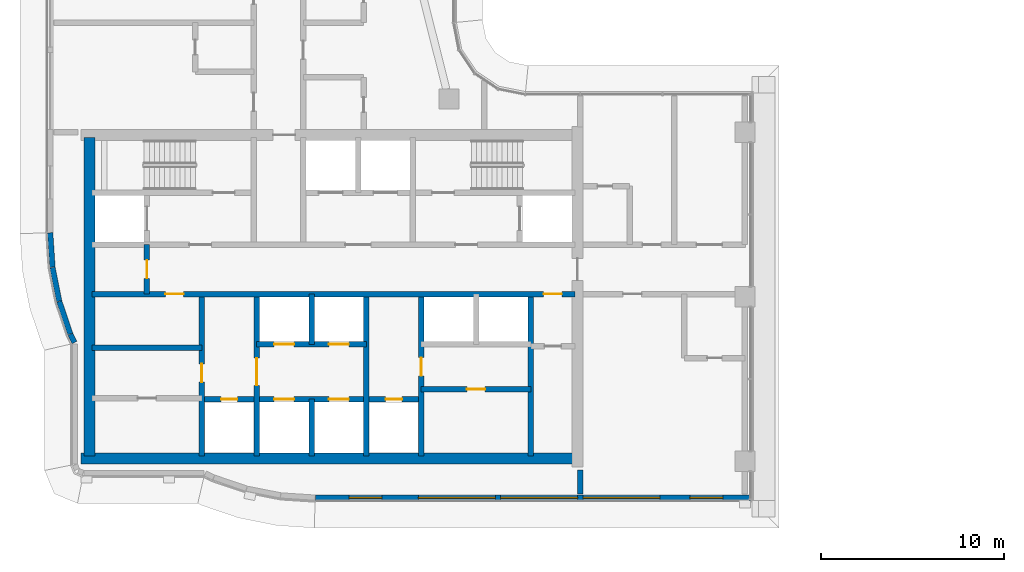
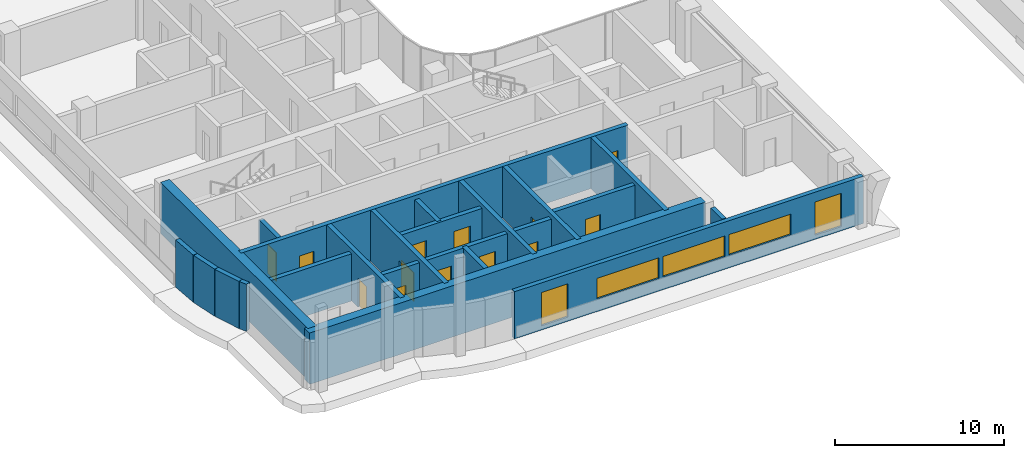
# One storey, part 10 of 26: 21 walls, 13 doors, 5 windows, 18 openings.
"""IFC4 building model written with IfcOpenShell, lengths in metres."""

import ifcopenshell
import ifcopenshell.guid

model = None  # the IFC model being written
_history = None  # IfcOwnerHistory: only IFC2X3 demands one
_inside = {}  # id of a spatial element -> (the spatial element, [elements in it])
_under = {}  # id of a project, library or spatial element -> (it, [spatial elements below it])
_declared = {}  # id of a project -> (the project, [libraries it declares])
_typed = {}  # id of a type object -> (the type object, [elements of that type])
_made_of = {}  # id of a material, layer set ... -> (it, [elements and type objects made of it])


def new_model(schema):
    """Start an empty IFC model of exactly this schema.

    Asked for "IFC4X3", IfcOpenShell would pick the latest addendum, in which some entities
    have other attributes; the version numbers below select the first issue.
    IFC2X3 requires an IfcOwnerHistory on every rooted entity: one is made here for all.
    """
    global model, _history
    if schema == "IFC4X3":
        model = ifcopenshell.file(schema_version=(4, 3, 0, 0))
    else:
        model = ifcopenshell.file(schema=schema)
    _inside.clear()
    _under.clear()
    _declared.clear()
    _typed.clear()
    _made_of.clear()
    _history = None
    if model.schema == "IFC2X3":
        org = make("IfcOrganization", Name="unknown")
        user = make(
            "IfcPersonAndOrganization",
            ThePerson=make("IfcPerson", FamilyName="unknown"),
            TheOrganization=org,
        )
        app = make(
            "IfcApplication",
            ApplicationDeveloper=org,
            Version="unknown",
            ApplicationFullName="unknown",
            ApplicationIdentifier="unknown",
        )
        _history = make(
            "IfcOwnerHistory",
            OwningUser=user,
            OwningApplication=app,
            ChangeAction="ADDED",
            CreationDate=0,
        )
    return model


def make(cls, **values):
    """One entity of the class cls with the attributes given. An attribute that is None is left unset."""
    return model.create_entity(
        cls, **{name: value for name, value in values.items() if value is not None}
    )


def rooted(cls, **values):
    """An entity with a GlobalId (a new one), such as an element, a storey or a relation."""
    return make(cls, GlobalId=ifcopenshell.guid.new(), OwnerHistory=_history, **values)


def si_unit(unit_type, name, prefix=None):
    """IfcSIUnit, for example si_unit("LENGTHUNIT", "METRE", prefix="MILLI")."""
    return make("IfcSIUnit", UnitType=unit_type, Prefix=prefix, Name=name)


def assignment(units):
    """IfcUnitAssignment: the units of a project."""
    return None if units is None else make("IfcUnitAssignment", Units=units)


def point(xyz):
    """IfcCartesianPoint."""
    return None if xyz is None else make("IfcCartesianPoint", Coordinates=xyz)


def direction(xyz):
    """IfcDirection."""
    return None if xyz is None else make("IfcDirection", DirectionRatios=xyz)


def frame(location, z_axis=None, x_axis=None):
    """IfcAxis2Placement3D, a coordinate frame: its origin and axes. An axis left out is left unset."""
    return make(
        "IfcAxis2Placement3D",
        Location=point(location),
        Axis=direction(z_axis),
        RefDirection=direction(x_axis),
    )


def frame_2d(location, x_axis=None):
    """IfcAxis2Placement2D, a coordinate frame in the plane: its origin and x axis."""
    return make(
        "IfcAxis2Placement2D", Location=point(location), RefDirection=direction(x_axis)
    )


def origin():
    """The frame at (0, 0, 0) with its axes left unset."""
    return frame((0.0, 0.0, 0.0))


def place(relative_to, where):
    """IfcLocalPlacement: puts the frame where relative to a parent placement (None: the world)."""
    return make(
        "IfcLocalPlacement", PlacementRelTo=relative_to, RelativePlacement=where
    )


def context(
    kind, dimensions, precision=None, world=None, true_north=None, identifier=None
):
    """IfcGeometricRepresentationContext, for example the 3D "Model" context."""
    return make(
        "IfcGeometricRepresentationContext",
        ContextIdentifier=identifier,
        ContextType=kind,
        CoordinateSpaceDimension=dimensions,
        Precision=precision,
        WorldCoordinateSystem=world,
        TrueNorth=true_north,
    )


def subcontext(parent, identifier, kind, view, scale=None):
    """IfcGeometricRepresentationSubContext, for example "Body" below "Model"."""
    return make(
        "IfcGeometricRepresentationSubContext",
        ContextIdentifier=identifier,
        ContextType=kind,
        ParentContext=parent,
        TargetScale=scale,
        TargetView=view,
    )


def project(units=None, contexts=None):
    """IfcProject with its units and contexts."""
    return rooted(
        "IfcProject",
        Name="project",
        RepresentationContexts=contexts,
        UnitsInContext=assignment(units),
    )


def spatial(cls, under=None, at=None, **own):
    """A site, building, storey or space (cls), placed at a placement, below another one or the project."""
    s = rooted(cls, ObjectPlacement=at, **own)
    if under is not None:
        _under.setdefault(under.id(), (under, []))[1].append(s)
    return s


def profile(cls, at=None, kind="AREA", **sizes):
    """A parametric profile (cls). Its sizes go by their IFC names, for example OverallWidth=200.0."""
    return make(cls, ProfileType=kind, Position=at, **sizes)


def rectangle(**sizes):
    """IfcRectangleProfileDef."""
    return profile("IfcRectangleProfileDef", **sizes)


def extrude(swept, where, along, depth):
    """IfcExtrudedAreaSolid: the profile swept, set in the frame where, extruded along a direction by depth."""
    return make(
        "IfcExtrudedAreaSolid",
        SweptArea=swept,
        Position=where,
        ExtrudedDirection=direction(along),
        Depth=depth,
    )


def shape(context_of_items, identifier, shape_type, items):
    """IfcShapeRepresentation: the items that make up one representation, for example the "Body"."""
    return make(
        "IfcShapeRepresentation",
        ContextOfItems=context_of_items,
        RepresentationIdentifier=identifier,
        RepresentationType=shape_type,
        Items=items,
    )


def material(Name=None, Category=None):
    """IfcMaterial."""
    return make("IfcMaterial", Name=Name, Category=Category)


def layer(
    of_material, thickness, ventilated=None, Name=None, Category=None, Priority=None
):
    """IfcMaterialLayer: one layer of a wall or slab, of a material (None: an air gap)."""
    return make(
        "IfcMaterialLayer",
        Material=of_material,
        LayerThickness=thickness,
        IsVentilated=ventilated,
        Name=Name,
        Category=Category,
        Priority=Priority,
    )


def layer_set(layers, Name=None):
    """IfcMaterialLayerSet."""
    return make("IfcMaterialLayerSet", MaterialLayers=layers, LayerSetName=Name)


def made_of(thing, what):
    """Note that an element or type object is made of a material, layer set ...; save() writes the relation."""
    if what is not None:
        _made_of.setdefault(what.id(), (what, []))[1].append(thing)
    return thing


def type_object(cls, material=None, **own):
    """A type object (cls), such as IfcWallType, which elements share."""
    return made_of(rooted(cls, **own), material)


def element(
    cls,
    number,
    at=None,
    inside=None,
    cuts=None,
    type_object=None,
    material=None,
    context=None,
    identifier="Body",
    shape_type=None,
    held_by="IfcProductDefinitionShape",
    body=None,
    shapes=None,
    **own,
):
    """One element of the class cls, such as IfcWall. Its Tag is "e" and its number.

    at: its placement. inside: the storey or other place that contains it. cuts: it is an
    opening in that element (IfcRelVoidsElement). A single representation is given by context,
    identifier, shape_type and body (its items); several are given by shapes. held_by: the class
    of the entity that holds the representations. save() writes the other relations.
    """
    e = rooted(cls, Tag="e%d" % number, ObjectPlacement=at, **own)
    if body is not None:
        shapes = [shape(context, identifier, shape_type, body)]
    if shapes is not None:
        e.Representation = make(held_by, Representations=shapes)
    if inside is not None:
        _inside.setdefault(inside.id(), (inside, []))[1].append(e)
    if cuts is not None:
        rooted(
            "IfcRelVoidsElement", RelatingBuildingElement=cuts, RelatedOpeningElement=e
        )
    if type_object is not None:
        _typed.setdefault(type_object.id(), (type_object, []))[1].append(e)
    return made_of(e, material)


def fill(opening, filler):
    """IfcRelFillsElement: the door or window that sits in an opening."""
    return rooted(
        "IfcRelFillsElement",
        RelatingOpeningElement=opening,
        RelatedBuildingElement=filler,
    )


def aggregate(whole, parts):
    """IfcRelAggregates: a whole, such as a stair, and the parts it consists of."""
    return rooted("IfcRelAggregates", RelatingObject=whole, RelatedObjects=parts)


def save(model, path):
    """Write the relations noted so far, then the file.

    IfcRelAggregates (storeys below a building ...), IfcRelContainedInSpatialStructure (elements
    in a storey), IfcRelDefinesByType, IfcRelAssociatesMaterial and IfcRelDeclares: one each for
    every whole, place, type object, material and project.
    """
    for whole, parts in _under.values():
        aggregate(whole, parts)
    for where, things in _inside.values():
        rooted(
            "IfcRelContainedInSpatialStructure",
            RelatedElements=things,
            RelatingStructure=where,
        )
    for kind, things in _typed.values():
        rooted("IfcRelDefinesByType", RelatedObjects=things, RelatingType=kind)
    for what, things in _made_of.values():
        rooted("IfcRelAssociatesMaterial", RelatedObjects=things, RelatingMaterial=what)
    for by, libraries in _declared.values():
        rooted("IfcRelDeclares", RelatingContext=by, RelatedDefinitions=libraries)
    model.write(path)


model = new_model("IFC4")

# Units and contexts
model_context = context("Model", 3, precision=1e-05, world=origin(), true_north=direction((0.0, 1.0)))
body_context = subcontext(model_context, "Body", "Model", "MODEL_VIEW")
ifc_project = project(units=[si_unit("LENGTHUNIT", "METRE"), si_unit("AREAUNIT", "SQUARE_METRE"), si_unit("VOLUMEUNIT", "CUBIC_METRE"), si_unit("PLANEANGLEUNIT", "RADIAN"), si_unit("MASSUNIT", "GRAM", prefix="KILO")], contexts=[model_context])

# Site, building, storey
site_placement = place(None, origin())
site = spatial("IfcSite", under=ifc_project, at=site_placement, CompositionType="ELEMENT")
building_placement = place(site_placement, origin())
building = spatial("IfcBuilding", under=site, at=building_placement, Name="Ogive Portal Towers", CompositionType="ELEMENT")
storey_placement = place(building_placement, frame((0.0, 0.0, 171.800048828125)))
storey = spatial("IfcBuildingStorey", under=building, at=storey_placement, Name="L42", CompositionType="ELEMENT", Elevation=171.800048828125)

# Wall, opening, door
ifc_material_1 = material(Name="Concrete C60/75", Category="concrete")
ifc_layer_1 = layer(ifc_material_1, 0.300048828125)
ifc_layer_set_1 = layer_set([ifc_layer_1], Name="CORE WALL 300 C60")
wall_type_1 = type_object("IfcWallType", Name="CORE WALL 300 C60", PredefinedType="SHEAR", material=ifc_layer_set_1)
wall_1_placement = place(storey_placement, frame((37.800048828125, 21.800048828125, 0.0), z_axis=(0.0, 0.0, 1.0), x_axis=(0.0, 1.0, 0.0)))
wall_1 = element("IfcWall", 1, at=wall_1_placement, inside=storey, type_object=wall_type_1, Name="Core wall X1 L42", PredefinedType="SHEAR", context=body_context, shape_type="SweptSolid", body=[
    extrude(rectangle(XDim=8.699951171875, YDim=0.300048828125, at=frame_2d((4.35009765625, 0.0))), origin(), (0.0, 0.0, 1.0), 3.699951171875),
])
opening_1_placement = place(wall_1_placement, frame((4.02490234375, 0.0, 0.0)))
opening_1 = element("IfcOpeningElement", 2, at=opening_1_placement, cuts=wall_1, Name="Opening D17-022", PredefinedType="OPENING", context=body_context, shape_type="SweptSolid", body=[
    extrude(rectangle(XDim=1.0, YDim=2.10009765625, at=frame_2d((0.5, 1.050048828125))), frame((0.0, 0.16015625, 0.0), z_axis=(0.0, -1.0, 0.0), x_axis=(1.0, 0.0, 0.0)), (0.0, 0.0, 1.0), 0.320068359375),
])
ifc_material_2 = material(Name="Steel fire door", Category="steel")
door_type_1 = type_object("IfcDoorType", Name="DT-SWING-1000x2100-FD90S", OperationType="SINGLE_SWING_LEFT", PredefinedType="DOOR", material=ifc_material_2)
door_1_placement = place(opening_1_placement, origin())
door_1 = element("IfcDoor", 3, at=door_1_placement, inside=storey, type_object=door_type_1, Name="Door D17-022", OperationType="SINGLE_SWING_RIGHT", OverallHeight=2.10009765625, OverallWidth=1.0, PredefinedType="DOOR", context=body_context, shape_type="SweptSolid", body=[
    extrude(rectangle(XDim=1.0, YDim=2.10009765625, at=frame_2d((0.5, 1.050048828125))), frame((0.0, 0.02490234375, 0.0), z_axis=(0.0, -1.0, 0.0), x_axis=(1.0, 0.0, 0.0)), (0.0, 0.0, 1.0), 0.050048828125),
])
fill(opening_1, door_1)

wall_2_placement = place(storey_placement, frame((40.800048828125, 21.800048828125, 0.0), z_axis=(0.0, 0.0, 1.0), x_axis=(0.0, 1.0, 0.0)))
wall_2 = element("IfcWall", 4, at=wall_2_placement, inside=storey, type_object=wall_type_1, Name="Core wall X2 L42", PredefinedType="SHEAR", context=body_context, shape_type="SweptSolid", body=[
    extrude(rectangle(XDim=8.699951171875, YDim=0.300048828125, at=frame_2d((4.35009765625, 0.0))), origin(), (0.0, 0.0, 1.0), 3.699951171875),
])
opening_2_placement = place(wall_2_placement, frame((3.85009765625, 0.0, 0.0)))
opening_2 = element("IfcOpeningElement", 5, at=opening_2_placement, cuts=wall_2, Name="Opening D17-001", PredefinedType="OPENING", context=body_context, shape_type="SweptSolid", body=[
    extrude(rectangle(XDim=1.5, YDim=2.10009765625, at=frame_2d((0.75, 1.050048828125))), frame((0.0, 0.16015625, 0.0), z_axis=(0.0, -1.0, 0.0), x_axis=(1.0, 0.0, 0.0)), (0.0, 0.0, 1.0), 0.320068359375),
])
door_type_2 = type_object("IfcDoorType", Name="DT-SWING-1500x2100-FD90S", OperationType="SINGLE_SWING_LEFT", PredefinedType="DOOR", material=ifc_material_2)
door_2_placement = place(opening_2_placement, origin())
door_2 = element("IfcDoor", 6, at=door_2_placement, inside=storey, type_object=door_type_2, Name="Door D17-001", OperationType="SINGLE_SWING_RIGHT", OverallHeight=2.10009765625, OverallWidth=1.5, PredefinedType="DOOR", context=body_context, shape_type="SweptSolid", body=[
    extrude(rectangle(XDim=1.5, YDim=2.10009765625, at=frame_2d((0.75, 1.050048828125))), frame((0.0, 0.02490234375, 0.0), z_axis=(0.0, -1.0, 0.0), x_axis=(1.0, 0.0, 0.0)), (0.0, 0.0, 1.0), 0.050048828125),
])
fill(opening_2, door_2)

# Wall
wall_3_placement = place(storey_placement, frame((46.800048828125, 21.800048828125, 0.0), z_axis=(0.0, 0.0, 1.0), x_axis=(0.0, 1.0, 0.0)))
element("IfcWall", 7, at=wall_3_placement, inside=storey, type_object=wall_type_1, Name="Core wall X3 L42", PredefinedType="SHEAR", context=body_context, shape_type="SweptSolid", body=[
    extrude(rectangle(XDim=8.699951171875, YDim=0.300048828125, at=frame_2d((4.35009765625, 0.0))), origin(), (0.0, 0.0, 1.0), 3.699951171875),
])

# Wall, opening, door
wall_4_placement = place(storey_placement, frame((49.800048828125, 21.800048828125, 0.0), z_axis=(0.0, 0.0, 1.0), x_axis=(0.0, 1.0, 0.0)))
wall_4 = element("IfcWall", 8, at=wall_4_placement, inside=storey, type_object=wall_type_1, Name="Core wall X4 L42", PredefinedType="SHEAR", context=body_context, shape_type="SweptSolid", body=[
    extrude(rectangle(XDim=8.699951171875, YDim=0.300048828125, at=frame_2d((4.35009765625, 0.0))), origin(), (0.0, 0.0, 1.0), 3.699951171875),
])
opening_3_placement = place(wall_4_placement, frame((4.375, 0.0, 0.0)))
opening_3 = element("IfcOpeningElement", 9, at=opening_3_placement, cuts=wall_4, Name="Opening D17-024", PredefinedType="OPENING", context=body_context, shape_type="SweptSolid", body=[
    extrude(rectangle(XDim=1.0, YDim=2.10009765625, at=frame_2d((0.5, 1.050048828125))), frame((0.0, 0.16015625, 0.0), z_axis=(0.0, -1.0, 0.0), x_axis=(1.0, 0.0, 0.0)), (0.0, 0.0, 1.0), 0.320068359375),
])
door_3_placement = place(opening_3_placement, origin())
door_3 = element("IfcDoor", 10, at=door_3_placement, inside=storey, type_object=door_type_1, Name="Door D17-024", OperationType="SINGLE_SWING_RIGHT", OverallHeight=2.10009765625, OverallWidth=1.0, PredefinedType="DOOR", context=body_context, shape_type="SweptSolid", body=[
    extrude(rectangle(XDim=1.0, YDim=2.10009765625, at=frame_2d((0.5, 1.050048828125))), frame((0.0, 0.02490234375, 0.0), z_axis=(0.0, -1.0, 0.0), x_axis=(1.0, 0.0, 0.0)), (0.0, 0.0, 1.0), 0.050048828125),
])
fill(opening_3, door_3)

# Wall
wall_5_placement = place(storey_placement, frame((55.800048828125, 21.800048828125, 0.0), z_axis=(0.0, 0.0, 1.0), x_axis=(0.0, 1.0, 0.0)))
element("IfcWall", 11, at=wall_5_placement, inside=storey, type_object=wall_type_1, Name="Core wall X5 L42", PredefinedType="SHEAR", context=body_context, shape_type="SweptSolid", body=[
    extrude(rectangle(XDim=8.699951171875, YDim=0.300048828125, at=frame_2d((4.35009765625, 0.0))), origin(), (0.0, 0.0, 1.0), 3.699951171875),
])

# Wall, openings, doors
wall_6_placement = place(storey_placement, frame((31.800048828125, 30.64990234375, 0.0), z_axis=(0.0, 0.0, 1.0), x_axis=(1.0, 0.0, 0.0)))
wall_6 = element("IfcWall", 12, at=wall_6_placement, inside=storey, type_object=wall_type_1, Name="Core wall Y1 L42", PredefinedType="SHEAR", context=body_context, shape_type="SweptSolid", body=[
    extrude(rectangle(XDim=26.39990234375, YDim=0.300048828125, at=frame_2d((13.199951171875, 0.0))), origin(), (0.0, 0.0, 1.0), 3.699951171875),
])
opening_4_placement = place(wall_6_placement, frame((24.699951171875, 0.0, 0.0)))
opening_4 = element("IfcOpeningElement", 13, at=opening_4_placement, cuts=wall_6, Name="Opening D17-009", PredefinedType="OPENING", context=body_context, shape_type="SweptSolid", body=[
    extrude(rectangle(XDim=1.0, YDim=2.10009765625, at=frame_2d((0.5, 1.050048828125))), frame((0.0, 0.16015625, 0.0), z_axis=(0.0, -1.0, 0.0), x_axis=(1.0, 0.0, 0.0)), (0.0, 0.0, 1.0), 0.320068359375),
])
opening_5_placement = place(wall_6_placement, frame((4.0, 0.0, 0.0)))
opening_5 = element("IfcOpeningElement", 14, at=opening_5_placement, cuts=wall_6, Name="Opening D17-021", PredefinedType="OPENING", context=body_context, shape_type="SweptSolid", body=[
    extrude(rectangle(XDim=1.0, YDim=2.10009765625, at=frame_2d((0.5, 1.050048828125))), frame((0.0, 0.16015625, 0.0), z_axis=(0.0, -1.0, 0.0), x_axis=(1.0, 0.0, 0.0)), (0.0, 0.0, 1.0), 0.320068359375),
])
door_4_placement = place(opening_4_placement, origin())
door_4 = element("IfcDoor", 15, at=door_4_placement, inside=storey, type_object=door_type_1, Name="Door D17-009", OperationType="SINGLE_SWING_LEFT", OverallHeight=2.10009765625, OverallWidth=1.0, PredefinedType="DOOR", context=body_context, shape_type="SweptSolid", body=[
    extrude(rectangle(XDim=1.0, YDim=2.10009765625, at=frame_2d((0.5, 1.050048828125))), frame((0.0, 0.02490234375, 0.0), z_axis=(0.0, -1.0, 0.0), x_axis=(1.0, 0.0, 0.0)), (0.0, 0.0, 1.0), 0.050048828125),
])
fill(opening_4, door_4)
door_5_placement = place(opening_5_placement, origin())
door_5 = element("IfcDoor", 16, at=door_5_placement, inside=storey, type_object=door_type_1, Name="Door D17-021", OperationType="SINGLE_SWING_LEFT", OverallHeight=2.10009765625, OverallWidth=1.0, PredefinedType="DOOR", context=body_context, shape_type="SweptSolid", body=[
    extrude(rectangle(XDim=1.0, YDim=2.10009765625, at=frame_2d((0.5, 1.050048828125))), frame((0.0, 0.02490234375, 0.0), z_axis=(0.0, -1.0, 0.0), x_axis=(1.0, 0.0, 0.0)), (0.0, 0.0, 1.0), 0.050048828125),
])
fill(opening_5, door_5)

# Walls
ifc_layer_2 = layer(ifc_material_1, 0.60009765625)
ifc_layer_set_2 = layer_set([ifc_layer_2], Name="CORE WALL 600 C60")
wall_type_2 = type_object("IfcWallType", Name="CORE WALL 600 C60", PredefinedType="SHEAR", material=ifc_layer_set_2)
wall_7_placement = place(storey_placement, frame((31.64990234375, 21.800048828125, 0.0), z_axis=(0.0, 0.0, 1.0), x_axis=(0.0, 1.0, 0.0)))
element("IfcWall", 17, at=wall_7_placement, inside=storey, type_object=wall_type_2, Name="Core wall W L42", PredefinedType="SHEAR", context=body_context, shape_type="SweptSolid", body=[
    extrude(rectangle(XDim=17.39990234375, YDim=0.60009765625, at=frame_2d((8.699951171875, 0.0))), origin(), (0.0, 0.0, 1.0), 3.699951171875),
])
wall_8_placement = place(storey_placement, frame((31.199951171875, 21.64990234375, 0.0), z_axis=(0.0, 0.0, 1.0), x_axis=(1.0, 0.0, 0.0)))
element("IfcWall", 18, at=wall_8_placement, inside=storey, type_object=wall_type_2, Name="Core wall S L42", PredefinedType="SHEAR", context=body_context, shape_type="SweptSolid", body=[
    extrude(rectangle(XDim=27.0, YDim=0.60009765625, at=frame_2d((13.5, 0.0))), origin(), (0.0, 0.0, 1.0), 3.699951171875),
])

# Wall, openings, windows
ifc_material_3 = material(Name="Limestone cladding on lightweight block wall", Category="masonry")
ifc_layer_3 = layer(ifc_material_3, 0.300048828125)
ifc_layer_set_3 = layer_set([ifc_layer_3], Name="EXTERNAL WALL 300 STONE")
wall_type_3 = type_object("IfcWallType", Name="EXTERNAL WALL 300 STONE", PredefinedType="SOLIDWALL", material=ifc_layer_set_3)
wall_9_placement = place(storey_placement, frame((44.009765625, 19.5048828125, 0.0), z_axis=(0.0, 0.0, 1.0), x_axis=(1.0, 0.0, 0.0)))
wall_9 = element("IfcWall", 19, at=wall_9_placement, inside=storey, type_object=wall_type_3, Name="A:L42:f08:r0:wall", PredefinedType="SOLIDWALL", context=body_context, shape_type="SweptSolid", body=[
    extrude(rectangle(XDim=23.790283203125, YDim=0.300048828125, at=frame_2d((11.89501953125, 0.0))), origin(), (0.0, 0.0, 1.0), 3.39990234375),
])
opening_6_placement = place(wall_9_placement, frame((1.844970703125, 0.0, 0.300048828125)))
opening_6 = element("IfcOpeningElement", 20, at=opening_6_placement, cuts=wall_9, Name="Opening WN10", PredefinedType="OPENING", context=body_context, shape_type="SweptSolid", body=[
    extrude(rectangle(XDim=1.800048828125, YDim=2.39990234375, at=frame_2d((0.89990234375, 1.199951171875))), frame((0.0, 0.16015625, 0.0), z_axis=(0.0, -1.0, 0.0), x_axis=(1.0, 0.0, 0.0)), (0.0, 0.0, 1.0), 0.320068359375),
])
opening_7_placement = place(wall_9_placement, frame((5.64013671875, 0.0, 0.89990234375)))
opening_7 = element("IfcOpeningElement", 21, at=opening_7_placement, cuts=wall_9, Name="Opening WN11", PredefinedType="OPENING", context=body_context, shape_type="SweptSolid", body=[
    extrude(rectangle(XDim=4.199951171875, YDim=1.5, at=frame_2d((2.10009765625, 0.75))), frame((0.0, 0.16015625, 0.0), z_axis=(0.0, -1.0, 0.0), x_axis=(1.0, 0.0, 0.0)), (0.0, 0.0, 1.0), 0.320068359375),
])
opening_8_placement = place(wall_9_placement, frame((10.14013671875, 0.0, 0.89990234375)))
opening_8 = element("IfcOpeningElement", 22, at=opening_8_placement, cuts=wall_9, Name="Opening WN11", PredefinedType="OPENING", context=body_context, shape_type="SweptSolid", body=[
    extrude(rectangle(XDim=4.199951171875, YDim=1.5, at=frame_2d((2.10009765625, 0.75))), frame((0.0, 0.16015625, 0.0), z_axis=(0.0, -1.0, 0.0), x_axis=(1.0, 0.0, 0.0)), (0.0, 0.0, 1.0), 0.320068359375),
])
opening_9_placement = place(wall_9_placement, frame((14.64013671875, 0.0, 0.89990234375)))
opening_9 = element("IfcOpeningElement", 23, at=opening_9_placement, cuts=wall_9, Name="Opening WN11", PredefinedType="OPENING", context=body_context, shape_type="SweptSolid", body=[
    extrude(rectangle(XDim=4.199951171875, YDim=1.5, at=frame_2d((2.10009765625, 0.75))), frame((0.0, 0.16015625, 0.0), z_axis=(0.0, -1.0, 0.0), x_axis=(1.0, 0.0, 0.0)), (0.0, 0.0, 1.0), 0.320068359375),
])
opening_10_placement = place(wall_9_placement, frame((20.490234375, 0.0, 0.300048828125)))
opening_10 = element("IfcOpeningElement", 24, at=opening_10_placement, cuts=wall_9, Name="Opening WN10", PredefinedType="OPENING", context=body_context, shape_type="SweptSolid", body=[
    extrude(rectangle(XDim=1.800048828125, YDim=2.39990234375, at=frame_2d((0.89990234375, 1.199951171875))), frame((0.0, 0.16015625, 0.0), z_axis=(0.0, -1.0, 0.0), x_axis=(1.0, 0.0, 0.0)), (0.0, 0.0, 1.0), 0.320068359375),
])
ifc_material_4 = material(Name="Glass, clear low-iron insulated glazing", Category="glass")
window_type_1 = type_object("IfcWindowType", Name="WINDOW RIBBON 4200x1500", PartitioningType="TRIPLE_PANEL_VERTICAL", PredefinedType="WINDOW", material=ifc_material_4)
window_1_placement = place(opening_7_placement, origin())
window_1 = element("IfcWindow", 25, at=window_1_placement, inside=storey, type_object=window_type_1, Name="A:L42:f08:r0:w1", OverallHeight=1.5, OverallWidth=4.199951171875, PartitioningType="SINGLE_PANEL", PredefinedType="WINDOW", context=body_context, shape_type="SweptSolid", body=[
    extrude(rectangle(XDim=4.199951171875, YDim=1.5, at=frame_2d((2.10009765625, 0.75))), frame((0.0, 0.030029296875, 0.0), z_axis=(0.0, -1.0, 0.0), x_axis=(1.0, 0.0, 0.0)), (0.0, 0.0, 1.0), 0.06005859375),
])
fill(opening_7, window_1)
window_2_placement = place(opening_8_placement, origin())
window_2 = element("IfcWindow", 26, at=window_2_placement, inside=storey, type_object=window_type_1, Name="A:L42:f08:r0:w2", OverallHeight=1.5, OverallWidth=4.199951171875, PartitioningType="SINGLE_PANEL", PredefinedType="WINDOW", context=body_context, shape_type="SweptSolid", body=[
    extrude(rectangle(XDim=4.199951171875, YDim=1.5, at=frame_2d((2.10009765625, 0.75))), frame((0.0, 0.030029296875, 0.0), z_axis=(0.0, -1.0, 0.0), x_axis=(1.0, 0.0, 0.0)), (0.0, 0.0, 1.0), 0.06005859375),
])
fill(opening_8, window_2)
window_3_placement = place(opening_9_placement, origin())
window_3 = element("IfcWindow", 27, at=window_3_placement, inside=storey, type_object=window_type_1, Name="A:L42:f08:r0:w3", OverallHeight=1.5, OverallWidth=4.199951171875, PartitioningType="SINGLE_PANEL", PredefinedType="WINDOW", context=body_context, shape_type="SweptSolid", body=[
    extrude(rectangle(XDim=4.199951171875, YDim=1.5, at=frame_2d((2.10009765625, 0.75))), frame((0.0, 0.030029296875, 0.0), z_axis=(0.0, -1.0, 0.0), x_axis=(1.0, 0.0, 0.0)), (0.0, 0.0, 1.0), 0.06005859375),
])
fill(opening_9, window_3)
window_type_2 = type_object("IfcWindowType", Name="WINDOW SUITE CORNER 1800x2400", PartitioningType="DOUBLE_PANEL_VERTICAL", PredefinedType="WINDOW", material=ifc_material_4)
window_4_placement = place(opening_6_placement, origin())
window_4 = element("IfcWindow", 28, at=window_4_placement, inside=storey, type_object=window_type_2, Name="A:L42:f08:r0:w0", OverallHeight=2.39990234375, OverallWidth=1.800048828125, PartitioningType="SINGLE_PANEL", PredefinedType="WINDOW", context=body_context, shape_type="SweptSolid", body=[
    extrude(rectangle(XDim=1.800048828125, YDim=2.39990234375, at=frame_2d((0.89990234375, 1.199951171875))), frame((0.0, 0.030029296875, 0.0), z_axis=(0.0, -1.0, 0.0), x_axis=(1.0, 0.0, 0.0)), (0.0, 0.0, 1.0), 0.06005859375),
])
fill(opening_6, window_4)
window_5_placement = place(opening_10_placement, origin())
window_5 = element("IfcWindow", 29, at=window_5_placement, inside=storey, type_object=window_type_2, Name="A:L42:f08:r0:w4", OverallHeight=2.39990234375, OverallWidth=1.800048828125, PartitioningType="SINGLE_PANEL", PredefinedType="WINDOW", context=body_context, shape_type="SweptSolid", body=[
    extrude(rectangle(XDim=1.800048828125, YDim=2.39990234375, at=frame_2d((0.89990234375, 1.199951171875))), frame((0.0, 0.030029296875, 0.0), z_axis=(0.0, -1.0, 0.0), x_axis=(1.0, 0.0, 0.0)), (0.0, 0.0, 1.0), 0.06005859375),
])
fill(opening_10, window_5)

# Walls
wall_10_placement = place(storey_placement, frame((29.50537109375, 34.0, 0.0), z_axis=(0.0, 0.0, 1.0), x_axis=(0.065367742534, -0.997861241975, 0.0)))
element("IfcWall", 30, at=wall_10_placement, inside=storey, type_object=wall_type_3, Name="A:L42:f23:r0:wall", PredefinedType="SOLIDWALL", context=body_context, shape_type="SweptSolid", body=[
    extrude(rectangle(XDim=1.88623046875, YDim=0.300048828125, at=frame_2d((0.943115234375, 0.0))), origin(), (0.0, 0.0, 1.0), 3.39990234375),
])
for number, where, z_axis, x_axis, name in (
    (31, (29.63134765625, 32.098388671875, 0.0), (0.0, 0.0, 1.0), (0.195040078842, -0.980795273054, 0.0), "A:L42:f24:r0:wall"),
    (32, (30.00244140625, 30.2392578125, 0.0), (0.0, 0.0, 1.0), (0.321375519312, -0.946951833826, 0.0), "A:L42:f25:r0:wall"),
):
    element("IfcWall", number, at=place(storey_placement, frame(where, z_axis=z_axis, x_axis=x_axis)), inside=storey, type_object=wall_type_3, Name=name, PredefinedType="SOLIDWALL", context=body_context, shape_type="SweptSolid", body=[
        extrude(rectangle(XDim=1.87646484375, YDim=0.300048828125, at=frame_2d((0.938232421875, 0.0))), origin(), (0.0, 0.0, 1.0), 3.39990234375),
    ])
wall_11_placement = place(storey_placement, frame((30.613037109375, 28.4443359375, 0.0), z_axis=(0.0, 0.0, 1.0), x_axis=(0.442136707291, -0.896947675211, 0.0)))
element("IfcWall", 33, at=wall_11_placement, inside=storey, type_object=wall_type_3, Name="A:L42:f26:r0:wall", PredefinedType="SOLIDWALL", context=body_context, shape_type="SweptSolid", body=[
    extrude(rectangle(XDim=0.500732421875, YDim=0.300048828125, at=frame_2d((0.25048828125, 0.0))), origin(), (0.0, 0.0, 1.0), 3.39990234375),
])

# Wall, opening, door
ifc_material_5 = material(Name="Gypsum board partition on steel studs", Category="steel")
ifc_layer_4 = layer(ifc_material_5, 0.300048828125)
ifc_layer_set_4 = layer_set([ifc_layer_4], Name="WT-PART-300")
wall_type_4 = type_object("IfcWallType", Name="WT-PART-300", PredefinedType="PARTITIONING", material=ifc_layer_set_4)
wall_12_placement = place(storey_placement, frame((49.800048828125, 25.449951171875, 0.0), z_axis=(0.0, 0.0, 1.0), x_axis=(1.0, 0.0, 0.0)))
wall_12 = element("IfcWall", 34, at=wall_12_placement, inside=storey, type_object=wall_type_4, Name="Wall pw:003:L42", PredefinedType="PARTITIONING", context=body_context, shape_type="SweptSolid", body=[
    extrude(rectangle(XDim=6.0, YDim=0.300048828125, at=frame_2d((3.0, 0.0))), origin(), (0.0, 0.0, 1.0), 3.39990234375),
])
opening_11_placement = place(wall_12_placement, frame((2.5, 0.0, 0.0)))
opening_11 = element("IfcOpeningElement", 35, at=opening_11_placement, cuts=wall_12, Name="Opening D17-025", PredefinedType="OPENING", context=body_context, shape_type="SweptSolid", body=[
    extrude(rectangle(XDim=1.0, YDim=2.10009765625, at=frame_2d((0.5, 1.050048828125))), frame((0.0, 0.16015625, 0.0), z_axis=(0.0, -1.0, 0.0), x_axis=(1.0, 0.0, 0.0)), (0.0, 0.0, 1.0), 0.320068359375),
])
door_type_3 = type_object("IfcDoorType", Name="DT-SWING-1000x2100-FD60S", OperationType="SINGLE_SWING_LEFT", PredefinedType="DOOR", material=ifc_material_2)
door_6_placement = place(opening_11_placement, origin())
door_6 = element("IfcDoor", 36, at=door_6_placement, inside=storey, type_object=door_type_3, Name="Door D17-025", OperationType="SINGLE_SWING_RIGHT", OverallHeight=2.10009765625, OverallWidth=1.0, PredefinedType="DOOR", context=body_context, shape_type="SweptSolid", body=[
    extrude(rectangle(XDim=1.0, YDim=2.10009765625, at=frame_2d((0.5, 1.050048828125))), frame((0.0, 0.02490234375, 0.0), z_axis=(0.0, -1.0, 0.0), x_axis=(1.0, 0.0, 0.0)), (0.0, 0.0, 1.0), 0.050048828125),
])
fill(opening_11, door_6)

# Walls
wall_13_placement = place(storey_placement, frame((31.800048828125, 27.699951171875, 0.0), z_axis=(0.0, 0.0, 1.0), x_axis=(1.0, 0.0, 0.0)))
element("IfcWall", 37, at=wall_13_placement, inside=storey, type_object=wall_type_4, Name="Wall pw:004:L42", PredefinedType="PARTITIONING", context=body_context, shape_type="SweptSolid", body=[
    extrude(rectangle(XDim=6.0, YDim=0.300048828125, at=frame_2d((3.0, 0.0))), origin(), (0.0, 0.0, 1.0), 3.39990234375),
])
ifc_layer_5 = layer(ifc_material_5, 0.300048828125)
ifc_layer_set_5 = layer_set([ifc_layer_5], Name="WT-PART-300-EI 60")
wall_type_5 = type_object("IfcWallType", Name="WT-PART-300-EI 60", PredefinedType="PARTITIONING", material=ifc_layer_set_5)
wall_14_placement = place(storey_placement, frame((58.5, 19.705078125, 0.0), z_axis=(0.0, 0.0, 1.0), x_axis=(0.0, 1.0, 0.0)))
element("IfcWall", 38, at=wall_14_placement, inside=storey, type_object=wall_type_5, Name="Wall L42:w040", PredefinedType="PARTITIONING", context=body_context, shape_type="SweptSolid", body=[
    extrude(rectangle(XDim=1.324951171875, YDim=0.300048828125, at=frame_2d((0.66259765625, 0.0))), origin(), (0.0, 0.0, 1.0), 3.39990234375),
])

# Wall, openings, doors
ifc_material_6 = material(Name="Concrete C40/50", Category="concrete")
ifc_layer_6 = layer(ifc_material_6, 0.300048828125)
ifc_layer_set_6 = layer_set([ifc_layer_6], Name="WT-SHAFT-300")
wall_type_6 = type_object("IfcWallType", Name="WT-SHAFT-300", PredefinedType="SOLIDWALL", material=ifc_layer_set_6)
wall_15_placement = place(storey_placement, frame((37.800048828125, 24.89990234375, 0.0), z_axis=(0.0, 0.0, 1.0), x_axis=(1.0, 0.0, 0.0)))
wall_15 = element("IfcWall", 39, at=wall_15_placement, inside=storey, type_object=wall_type_6, Name="Wall pw:001:L42", PredefinedType="SOLIDWALL", context=body_context, shape_type="SweptSolid", body=[
    extrude(rectangle(XDim=12.0, YDim=0.300048828125, at=frame_2d((6.0, 0.0))), origin(), (0.0, 0.0, 1.0), 3.39990234375),
])
opening_12_placement = place(wall_15_placement, frame((1.050048828125, 0.0, 0.0)))
opening_12 = element("IfcOpeningElement", 40, at=opening_12_placement, cuts=wall_15, Name="Opening D17-007", PredefinedType="OPENING", context=body_context, shape_type="SweptSolid", body=[
    extrude(rectangle(XDim=0.89990234375, YDim=2.10009765625, at=frame_2d((0.449951171875, 1.050048828125))), frame((0.0, 0.16015625, 0.0), z_axis=(0.0, -1.0, 0.0), x_axis=(1.0, 0.0, 0.0)), (0.0, 0.0, 1.0), 0.320068359375),
])
opening_13_placement = place(wall_15_placement, frame((10.050048828125, 0.0, 0.0)))
opening_13 = element("IfcOpeningElement", 41, at=opening_13_placement, cuts=wall_15, Name="Opening D17-008", PredefinedType="OPENING", context=body_context, shape_type="SweptSolid", body=[
    extrude(rectangle(XDim=0.89990234375, YDim=2.10009765625, at=frame_2d((0.449951171875, 1.050048828125))), frame((0.0, 0.16015625, 0.0), z_axis=(0.0, -1.0, 0.0), x_axis=(1.0, 0.0, 0.0)), (0.0, 0.0, 1.0), 0.320068359375),
])
opening_14_placement = place(wall_15_placement, frame((3.949951171875, 0.0, 0.0)))
opening_14 = element("IfcOpeningElement", 42, at=opening_14_placement, cuts=wall_15, Name="Opening D17-013", PredefinedType="OPENING", context=body_context, shape_type="SweptSolid", body=[
    extrude(rectangle(XDim=1.10009765625, YDim=2.39990234375, at=frame_2d((0.550048828125, 1.199951171875))), frame((0.0, 0.16015625, 0.0), z_axis=(0.0, -1.0, 0.0), x_axis=(1.0, 0.0, 0.0)), (0.0, 0.0, 1.0), 0.320068359375),
])
opening_15_placement = place(wall_15_placement, frame((6.949951171875, 0.0, 0.0)))
opening_15 = element("IfcOpeningElement", 43, at=opening_15_placement, cuts=wall_15, Name="Opening D17-014", PredefinedType="OPENING", context=body_context, shape_type="SweptSolid", body=[
    extrude(rectangle(XDim=1.10009765625, YDim=2.39990234375, at=frame_2d((0.550048828125, 1.199951171875))), frame((0.0, 0.16015625, 0.0), z_axis=(0.0, -1.0, 0.0), x_axis=(1.0, 0.0, 0.0)), (0.0, 0.0, 1.0), 0.320068359375),
])
ifc_material_7 = material(Name="Stainless steel", Category="steel")
door_type_4 = type_object("IfcDoorType", Name="DT-LD-1100x2400", OperationType="SLIDING_TO_LEFT", PredefinedType="DOOR", material=ifc_material_7)
door_7_placement = place(opening_14_placement, origin())
door_7 = element("IfcDoor", 44, at=door_7_placement, inside=storey, type_object=door_type_4, Name="Door D17-013", OperationType="SLIDING_TO_LEFT", OverallHeight=2.39990234375, OverallWidth=1.10009765625, PredefinedType="DOOR", context=body_context, shape_type="SweptSolid", body=[
    extrude(rectangle(XDim=1.10009765625, YDim=2.39990234375, at=frame_2d((0.550048828125, 1.199951171875))), frame((0.0, 0.02490234375, 0.0), z_axis=(0.0, -1.0, 0.0), x_axis=(1.0, 0.0, 0.0)), (0.0, 0.0, 1.0), 0.050048828125),
])
fill(opening_14, door_7)
door_8_placement = place(opening_15_placement, origin())
door_8 = element("IfcDoor", 45, at=door_8_placement, inside=storey, type_object=door_type_4, Name="Door D17-014", OperationType="SLIDING_TO_LEFT", OverallHeight=2.39990234375, OverallWidth=1.10009765625, PredefinedType="DOOR", context=body_context, shape_type="SweptSolid", body=[
    extrude(rectangle(XDim=1.10009765625, YDim=2.39990234375, at=frame_2d((0.550048828125, 1.199951171875))), frame((0.0, 0.02490234375, 0.0), z_axis=(0.0, -1.0, 0.0), x_axis=(1.0, 0.0, 0.0)), (0.0, 0.0, 1.0), 0.050048828125),
])
fill(opening_15, door_8)
door_type_5 = type_object("IfcDoorType", Name="DT-SWING-900x2100-FD90S", OperationType="SINGLE_SWING_LEFT", PredefinedType="DOOR", material=ifc_material_2)
door_9_placement = place(opening_12_placement, origin())
door_9 = element("IfcDoor", 46, at=door_9_placement, inside=storey, type_object=door_type_5, Name="Riser access door D17-007", OperationType="SINGLE_SWING_LEFT", OverallHeight=2.10009765625, OverallWidth=0.89990234375, PredefinedType="DOOR", context=body_context, shape_type="SweptSolid", body=[
    extrude(rectangle(XDim=0.89990234375, YDim=2.10009765625, at=frame_2d((0.449951171875, 1.050048828125))), frame((0.0, 0.02490234375, 0.0), z_axis=(0.0, -1.0, 0.0), x_axis=(1.0, 0.0, 0.0)), (0.0, 0.0, 1.0), 0.050048828125),
])
fill(opening_12, door_9)
door_10_placement = place(opening_13_placement, origin())
door_10 = element("IfcDoor", 47, at=door_10_placement, inside=storey, type_object=door_type_5, Name="Riser access door D17-008", OperationType="SINGLE_SWING_RIGHT", OverallHeight=2.10009765625, OverallWidth=0.89990234375, PredefinedType="DOOR", context=body_context, shape_type="SweptSolid", body=[
    extrude(rectangle(XDim=0.89990234375, YDim=2.10009765625, at=frame_2d((0.449951171875, 1.050048828125))), frame((0.0, 0.02490234375, 0.0), z_axis=(0.0, -1.0, 0.0), x_axis=(1.0, 0.0, 0.0)), (0.0, 0.0, 1.0), 0.050048828125),
])
fill(opening_13, door_10)

wall_16_placement = place(storey_placement, frame((40.800048828125, 27.89990234375, 0.0), z_axis=(0.0, 0.0, 1.0), x_axis=(1.0, 0.0, 0.0)))
wall_16 = element("IfcWall", 48, at=wall_16_placement, inside=storey, type_object=wall_type_6, Name="Wall pw:006:L42", PredefinedType="SOLIDWALL", context=body_context, shape_type="SweptSolid", body=[
    extrude(rectangle(XDim=6.0, YDim=0.300048828125, at=frame_2d((3.0, 0.0))), origin(), (0.0, 0.0, 1.0), 3.39990234375),
])
opening_16_placement = place(wall_16_placement, frame((0.949951171875, 0.0, 0.0)))
opening_16 = element("IfcOpeningElement", 49, at=opening_16_placement, cuts=wall_16, Name="Opening D17-015", PredefinedType="OPENING", context=body_context, shape_type="SweptSolid", body=[
    extrude(rectangle(XDim=1.10009765625, YDim=2.39990234375, at=frame_2d((0.550048828125, 1.199951171875))), frame((0.0, 0.16015625, 0.0), z_axis=(0.0, -1.0, 0.0), x_axis=(1.0, 0.0, 0.0)), (0.0, 0.0, 1.0), 0.320068359375),
])
opening_17_placement = place(wall_16_placement, frame((3.949951171875, 0.0, 0.0)))
opening_17 = element("IfcOpeningElement", 50, at=opening_17_placement, cuts=wall_16, Name="Opening D17-016", PredefinedType="OPENING", context=body_context, shape_type="SweptSolid", body=[
    extrude(rectangle(XDim=1.10009765625, YDim=2.39990234375, at=frame_2d((0.550048828125, 1.199951171875))), frame((0.0, 0.16015625, 0.0), z_axis=(0.0, -1.0, 0.0), x_axis=(1.0, 0.0, 0.0)), (0.0, 0.0, 1.0), 0.320068359375),
])
door_11_placement = place(opening_16_placement, origin())
door_11 = element("IfcDoor", 51, at=door_11_placement, inside=storey, type_object=door_type_4, Name="Door D17-015", OperationType="SLIDING_TO_LEFT", OverallHeight=2.39990234375, OverallWidth=1.10009765625, PredefinedType="DOOR", context=body_context, shape_type="SweptSolid", body=[
    extrude(rectangle(XDim=1.10009765625, YDim=2.39990234375, at=frame_2d((0.550048828125, 1.199951171875))), frame((0.0, 0.02490234375, 0.0), z_axis=(0.0, -1.0, 0.0), x_axis=(1.0, 0.0, 0.0)), (0.0, 0.0, 1.0), 0.050048828125),
])
fill(opening_16, door_11)
door_12_placement = place(opening_17_placement, origin())
door_12 = element("IfcDoor", 52, at=door_12_placement, inside=storey, type_object=door_type_4, Name="Door D17-016", OperationType="SLIDING_TO_LEFT", OverallHeight=2.39990234375, OverallWidth=1.10009765625, PredefinedType="DOOR", context=body_context, shape_type="SweptSolid", body=[
    extrude(rectangle(XDim=1.10009765625, YDim=2.39990234375, at=frame_2d((0.550048828125, 1.199951171875))), frame((0.0, 0.02490234375, 0.0), z_axis=(0.0, -1.0, 0.0), x_axis=(1.0, 0.0, 0.0)), (0.0, 0.0, 1.0), 0.050048828125),
])
fill(opening_17, door_12)

# Wall, opening, door
wall_17_placement = place(storey_placement, frame((34.800048828125, 30.64990234375, 0.0), z_axis=(0.0, 0.0, 1.0), x_axis=(0.0, 1.0, 0.0)))
wall_17 = element("IfcWall", 53, at=wall_17_placement, inside=storey, type_object=wall_type_6, Name="Wall pw:008:L42", PredefinedType="SOLIDWALL", context=body_context, shape_type="SweptSolid", body=[
    extrude(rectangle(XDim=2.7001953125, YDim=0.300048828125, at=frame_2d((1.35009765625, 0.0))), origin(), (0.0, 0.0, 1.0), 3.39990234375),
])
opening_18_placement = place(wall_17_placement, frame((0.85009765625, 0.0, 0.0)))
opening_18 = element("IfcOpeningElement", 54, at=opening_18_placement, cuts=wall_17, Name="Opening D17-026", PredefinedType="OPENING", context=body_context, shape_type="SweptSolid", body=[
    extrude(rectangle(XDim=1.0, YDim=2.10009765625, at=frame_2d((0.5, 1.050048828125))), frame((0.0, 0.16015625, 0.0), z_axis=(0.0, -1.0, 0.0), x_axis=(1.0, 0.0, 0.0)), (0.0, 0.0, 1.0), 0.320068359375),
])
door_13_placement = place(opening_18_placement, origin())
door_13 = element("IfcDoor", 55, at=door_13_placement, inside=storey, type_object=door_type_1, Name="Door D17-026", OperationType="SINGLE_SWING_RIGHT", OverallHeight=2.10009765625, OverallWidth=1.0, PredefinedType="DOOR", context=body_context, shape_type="SweptSolid", body=[
    extrude(rectangle(XDim=1.0, YDim=2.10009765625, at=frame_2d((0.5, 1.050048828125))), frame((0.0, 0.02490234375, 0.0), z_axis=(0.0, -1.0, 0.0), x_axis=(1.0, 0.0, 0.0)), (0.0, 0.0, 1.0), 0.050048828125),
])
fill(opening_18, door_13)

# Walls
wall_18_placement = place(storey_placement, frame((43.800048828125, 21.800048828125, 0.0), z_axis=(0.0, 0.0, 1.0), x_axis=(0.0, 1.0, 0.0)))
element("IfcWall", 56, at=wall_18_placement, inside=storey, type_object=wall_type_6, Name="Wall pw:009:L42", PredefinedType="SOLIDWALL", context=body_context, shape_type="SweptSolid", body=[
    extrude(rectangle(XDim=3.099853515625, YDim=0.300048828125, at=frame_2d((1.5498046875, 0.0))), origin(), (0.0, 0.0, 1.0), 3.39990234375),
])
wall_19_placement = place(storey_placement, frame((43.800048828125, 27.89990234375, 0.0), z_axis=(0.0, 0.0, 1.0), x_axis=(0.0, 1.0, 0.0)))
element("IfcWall", 57, at=wall_19_placement, inside=storey, type_object=wall_type_6, Name="Wall pw:010:L42", PredefinedType="SOLIDWALL", context=body_context, shape_type="SweptSolid", body=[
    extrude(rectangle(XDim=2.75, YDim=0.300048828125, at=frame_2d((1.375, 0.0))), origin(), (0.0, 0.0, 1.0), 3.39990234375),
])

save(model, "model.ifc")
